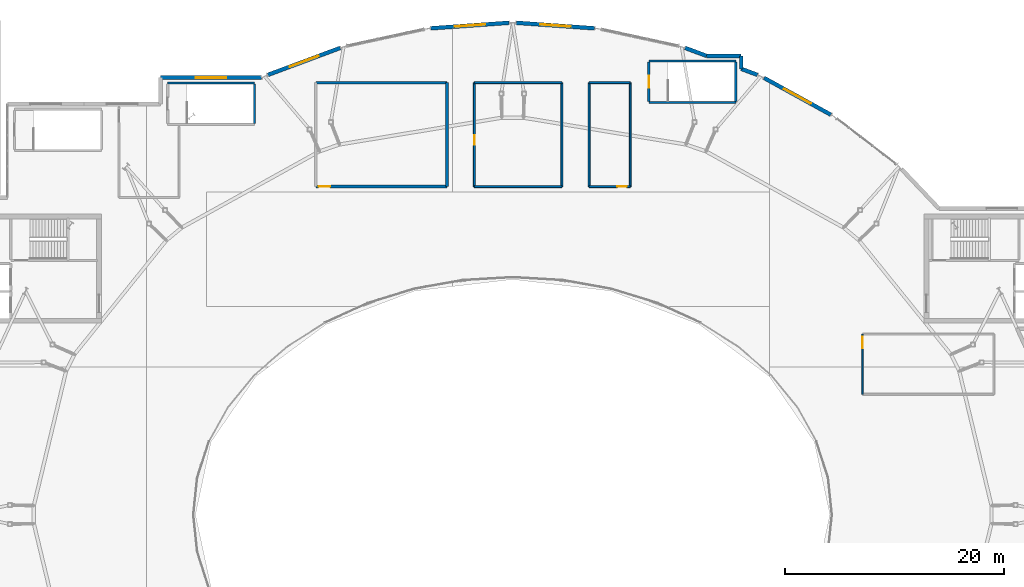
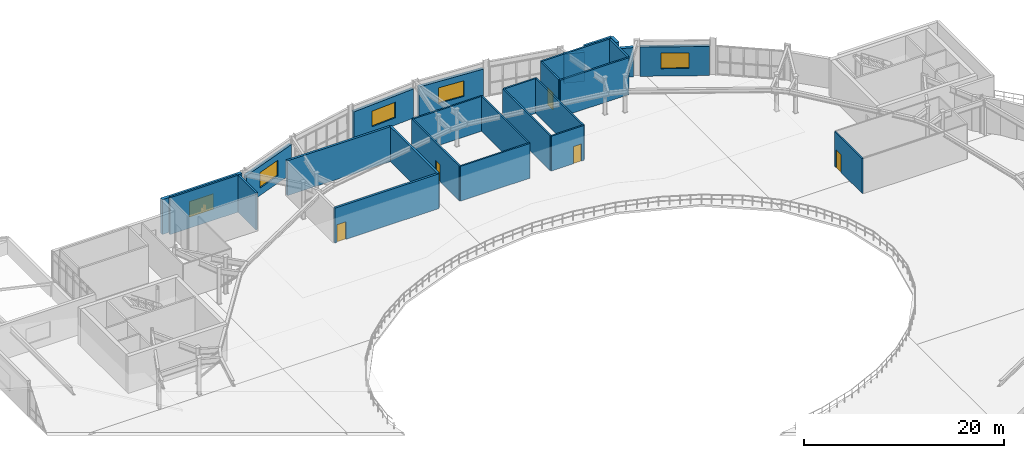
# One storey, part 40 of 48: 27 walls, 5 doors, 5 windows, 10 openings.
"""IFC4 building model written with IfcOpenShell, lengths in metres."""

from ifc_helpers import new_model, si_unit, direction, frame, frame_2d, origin, place, context, subcontext, project, spatial, rectangle, extrude, material, layer, layer_set, type_object, element, fill, save


model = new_model("IFC4")

# Units and contexts
model_context = context("Model", 3, precision=1e-05, world=origin(), true_north=direction((0.0, 1.0)))
body_context = subcontext(model_context, "Body", "Model", "MODEL_VIEW")
ifc_project = project(units=[si_unit("LENGTHUNIT", "METRE"), si_unit("AREAUNIT", "SQUARE_METRE"), si_unit("VOLUMEUNIT", "CUBIC_METRE"), si_unit("PLANEANGLEUNIT", "RADIAN"), si_unit("MASSUNIT", "GRAM", prefix="KILO")], contexts=[model_context])

# Site, building, storey
site_placement = place(None, origin())
site = spatial("IfcSite", under=ifc_project, at=site_placement, CompositionType="ELEMENT")
building_placement = place(site_placement, origin())
building = spatial("IfcBuilding", under=site, at=building_placement, Name="Glasvene Arena", CompositionType="ELEMENT")
storey_placement = place(building_placement, frame((0.0, 0.0, 19.5)))
storey = spatial("IfcBuildingStorey", under=building, at=storey_placement, Name="L04", CompositionType="ELEMENT", Elevation=19.5)

# Wall, opening, window
ifc_material_1 = material(Name="Coursed pale Irish limestone", Category="masonry")
ifc_layer_1 = layer(ifc_material_1, 0.360107421875)
ifc_layer_set_1 = layer_set([ifc_layer_1], Name="Coursed pale Irish limestone")
wall_type_1 = type_object("IfcWallType", Name="WL-EXT-LIM-360", PredefinedType="STANDARD", material=ifc_layer_set_1)
wall_1_placement = place(storey_placement, frame((59.800048828125, 112.949951171875, 0.0), z_axis=(0.0, 0.0, 1.0), x_axis=(1.0, 0.0, 0.0)))
wall_1 = element("IfcWall", 1, at=wall_1_placement, inside=storey, type_object=wall_type_1, Name="External facade wall EW-L04-0251", PredefinedType="STANDARD", context=body_context, shape_type="SweptSolid", body=[
    extrude(rectangle(XDim=9.20703125, YDim=0.360107421875, at=frame_2d((4.603515625, 0.0))), origin(), (0.0, 0.0, 1.0), 4.25),
])
opening_1_placement = place(wall_1_placement, frame((3.2041015625, 0.0, 0.89990234375)))
opening_1 = element("IfcOpeningElement", 2, at=opening_1_placement, cuts=wall_1, Name="Opening W-10", PredefinedType="OPENING", context=body_context, shape_type="SweptSolid", body=[
    extrude(rectangle(XDim=2.800048828125, YDim=1.89990234375, at=frame_2d((1.39990234375, 0.949951171875))), frame((0.0, 0.18994140625, 0.0), z_axis=(0.0, -1.0, 0.0), x_axis=(1.0, 0.0, 0.0)), (0.0, 0.0, 1.0), 0.380126953125),
])
ifc_material_2 = material(Name="Low-emissivity laminated double glazing", Category="glass")
window_type = type_object("IfcWindowType", Name="WN-SKY-280x190", PartitioningType="DOUBLE_PANEL_VERTICAL", PredefinedType="WINDOW", material=ifc_material_2)
window_1_placement = place(opening_1_placement, origin())
window_1 = element("IfcWindow", 3, at=window_1_placement, inside=storey, type_object=window_type, Name="Facade window WN-SKY-280x190 L04-0161", OverallHeight=1.89990234375, OverallWidth=2.800048828125, PartitioningType="SINGLE_PANEL", PredefinedType="WINDOW", context=body_context, shape_type="SweptSolid", body=[
    extrude(rectangle(XDim=2.800048828125, YDim=1.89990234375, at=frame_2d((1.39990234375, 0.949951171875))), frame((0.0, 0.030029296875, 0.0), z_axis=(0.0, -1.0, 0.0), x_axis=(1.0, 0.0, 0.0)), (0.0, 0.0, 1.0), 0.06005859375),
])
fill(opening_1, window_1)

wall_2_placement = place(storey_placement, frame((69.61083984375, 113.2109375, 0.0), z_axis=(0.0, 0.0, 1.0), x_axis=(0.937006422161, 0.349312130949, 0.0)))
wall_2 = element("IfcWall", 4, at=wall_2_placement, inside=storey, type_object=wall_type_1, Name="External facade wall EW-L04-0252", PredefinedType="STANDARD", context=body_context, shape_type="SweptSolid", body=[
    extrude(rectangle(XDim=7.077880859375, YDim=0.360107421875, at=frame_2d((3.5390625, 0.0))), origin(), (0.0, 0.0, 1.0), 3.5615234375),
])
opening_2_placement = place(wall_2_placement, frame((2.138916015625, 0.0, 0.89990234375)))
opening_2 = element("IfcOpeningElement", 5, at=opening_2_placement, cuts=wall_2, Name="Opening W-10", PredefinedType="OPENING", context=body_context, shape_type="SweptSolid", body=[
    extrude(rectangle(XDim=2.800048828125, YDim=1.89990234375, at=frame_2d((1.39990234375, 0.949951171875))), frame((0.0, 0.18994140625, 0.0), z_axis=(0.0, -1.0, 0.0), x_axis=(1.0, 0.0, 0.0)), (0.0, 0.0, 1.0), 0.380126953125),
])
window_2_placement = place(opening_2_placement, origin())
window_2 = element("IfcWindow", 6, at=window_2_placement, inside=storey, type_object=window_type, Name="Facade window WN-SKY-280x190 L04-0162", OverallHeight=1.89990234375, OverallWidth=2.800048828125, PartitioningType="SINGLE_PANEL", PredefinedType="WINDOW", context=body_context, shape_type="SweptSolid", body=[
    extrude(rectangle(XDim=2.800048828125, YDim=1.89990234375, at=frame_2d((1.39990234375, 0.949951171875))), frame((0.0, 0.030029296875, 0.0), z_axis=(0.0, -1.0, 0.0), x_axis=(1.0, 0.0, 0.0)), (0.0, 0.0, 1.0), 0.06005859375),
])
fill(opening_2, window_2)

wall_3_placement = place(storey_placement, frame((84.506103515625, 117.46923828125, 0.0), z_axis=(0.0, 0.0, 1.0), x_axis=(0.99750163831, 0.070643340579, 0.0)))
wall_3 = element("IfcWall", 7, at=wall_3_placement, inside=storey, type_object=wall_type_1, Name="External facade wall EW-L04-0253", PredefinedType="STANDARD", context=body_context, shape_type="SweptSolid", body=[
    extrude(rectangle(XDim=7.18505859375, YDim=0.360107421875, at=frame_2d((3.592529296875, 0.0))), origin(), (0.0, 0.0, 1.0), 3.5615234375),
])
opening_3_placement = place(wall_3_placement, frame((2.19189453125, 0.0, 0.89990234375)))
opening_3 = element("IfcOpeningElement", 8, at=opening_3_placement, cuts=wall_3, Name="Opening W-10", PredefinedType="OPENING", context=body_context, shape_type="SweptSolid", body=[
    extrude(rectangle(XDim=2.800048828125, YDim=1.89990234375, at=frame_2d((1.39990234375, 0.949951171875))), frame((0.0, 0.18994140625, 0.0), z_axis=(0.0, -1.0, 0.0), x_axis=(1.0, 0.0, 0.0)), (0.0, 0.0, 1.0), 0.380126953125),
])
window_3_placement = place(opening_3_placement, origin())
window_3 = element("IfcWindow", 9, at=window_3_placement, inside=storey, type_object=window_type, Name="Facade window WN-SKY-280x190 L04-0163", OverallHeight=1.89990234375, OverallWidth=2.800048828125, PartitioningType="SINGLE_PANEL", PredefinedType="WINDOW", context=body_context, shape_type="SweptSolid", body=[
    extrude(rectangle(XDim=2.800048828125, YDim=1.89990234375, at=frame_2d((1.39990234375, 0.949951171875))), frame((0.0, 0.030029296875, 0.0), z_axis=(0.0, -1.0, 0.0), x_axis=(1.0, 0.0, 0.0)), (0.0, 0.0, 1.0), 0.06005859375),
])
fill(opening_3, window_3)

wall_4_placement = place(storey_placement, frame((92.326904296875, 117.976806640625, 0.0), z_axis=(0.0, 0.0, 1.0), x_axis=(0.99750163831, -0.070643340579, 0.0)))
wall_4 = element("IfcWall", 10, at=wall_4_placement, inside=storey, type_object=wall_type_1, Name="External facade wall EW-L04-0254", PredefinedType="STANDARD", context=body_context, shape_type="SweptSolid", body=[
    extrude(rectangle(XDim=7.18505859375, YDim=0.360107421875, at=frame_2d((3.592529296875, 0.0))), origin(), (0.0, 0.0, 1.0), 3.5615234375),
])
opening_4_placement = place(wall_4_placement, frame((2.19189453125, 0.0, 0.89990234375)))
opening_4 = element("IfcOpeningElement", 11, at=opening_4_placement, cuts=wall_4, Name="Opening W-10", PredefinedType="OPENING", context=body_context, shape_type="SweptSolid", body=[
    extrude(rectangle(XDim=2.800048828125, YDim=1.89990234375, at=frame_2d((1.39990234375, 0.949951171875))), frame((0.0, 0.18994140625, 0.0), z_axis=(0.0, -1.0, 0.0), x_axis=(1.0, 0.0, 0.0)), (0.0, 0.0, 1.0), 0.380126953125),
])
window_4_placement = place(opening_4_placement, origin())
window_4 = element("IfcWindow", 12, at=window_4_placement, inside=storey, type_object=window_type, Name="Facade window WN-SKY-280x190 L04-0164", OverallHeight=1.89990234375, OverallWidth=2.800048828125, PartitioningType="SINGLE_PANEL", PredefinedType="WINDOW", context=body_context, shape_type="SweptSolid", body=[
    extrude(rectangle(XDim=2.800048828125, YDim=1.89990234375, at=frame_2d((1.39990234375, 0.949951171875))), frame((0.0, 0.030029296875, 0.0), z_axis=(0.0, -1.0, 0.0), x_axis=(1.0, 0.0, 0.0)), (0.0, 0.0, 1.0), 0.06005859375),
])
fill(opening_4, window_4)

# Walls
wall_5_placement = place(storey_placement, frame((107.757080078125, 115.683349609375, 0.0), z_axis=(0.0, 0.0, 1.0), x_axis=(0.936991819141, -0.349351300074, 0.0)))
element("IfcWall", 13, at=wall_5_placement, inside=storey, type_object=wall_type_1, Name="External facade wall EW-L04-0255", PredefinedType="STANDARD", context=body_context, shape_type="SweptSolid", body=[
    extrude(rectangle(XDim=2.099365234375, YDim=0.360107421875, at=frame_2d((1.0498046875, 0.0))), origin(), (0.0, 0.0, 1.0), 3.5615234375),
])
wall_6_placement = place(storey_placement, frame((109.72412109375, 114.949951171875, 0.0), z_axis=(0.0, 0.0, 1.0), x_axis=(1.0, 0.0, 0.0)))
element("IfcWall", 14, at=wall_6_placement, inside=storey, type_object=wall_type_1, Name="External facade wall EW-L04-0256", PredefinedType="STANDARD", context=body_context, shape_type="SweptSolid", body=[
    extrude(rectangle(XDim=3.17578125, YDim=0.360107421875, at=frame_2d((1.587890625, 0.0))), origin(), (0.0, 0.0, 1.0), 4.25),
])
wall_7_placement = place(storey_placement, frame((112.89990234375, 114.949951171875, 0.0), z_axis=(0.0, 0.0, 1.0), x_axis=(0.0, -1.0, 0.0)))
element("IfcWall", 15, at=wall_7_placement, inside=storey, type_object=wall_type_1, Name="External facade wall EW-L04-0257", PredefinedType="STANDARD", context=body_context, shape_type="SweptSolid", body=[
    extrude(rectangle(XDim=1.183837890625, YDim=0.360107421875, at=frame_2d((0.591796875, 0.0))), origin(), (0.0, 0.0, 1.0), 4.25),
])
wall_8_placement = place(storey_placement, frame((112.89990234375, 113.76611328125, 0.0), z_axis=(0.0, 0.0, 1.0), x_axis=(0.937009179831, -0.349304733596, 0.0)))
element("IfcWall", 16, at=wall_8_placement, inside=storey, type_object=wall_type_1, Name="External facade wall EW-L04-0258", PredefinedType="STANDARD", context=body_context, shape_type="SweptSolid", body=[
    extrude(rectangle(XDim=1.58935546875, YDim=0.360107421875, at=frame_2d((0.794677734375, 0.0))), origin(), (0.0, 0.0, 1.0), 3.5615234375),
])

# Wall, opening, window
wall_9_placement = place(storey_placement, frame((114.98583984375, 112.9375, 0.0), z_axis=(0.0, 0.0, 1.0), x_axis=(0.875644499298, -0.482956220426, 0.0)))
wall_9 = element("IfcWall", 17, at=wall_9_placement, inside=storey, type_object=wall_type_1, Name="External facade wall EW-L04-0259", PredefinedType="STANDARD", context=body_context, shape_type="SweptSolid", body=[
    extrude(rectangle(XDim=6.980712890625, YDim=0.360107421875, at=frame_2d((3.490234375, 0.0))), origin(), (0.0, 0.0, 1.0), 3.5615234375),
])
opening_5_placement = place(wall_9_placement, frame((2.090087890625, 0.0, 0.89990234375)))
opening_5 = element("IfcOpeningElement", 18, at=opening_5_placement, cuts=wall_9, Name="Opening W-10", PredefinedType="OPENING", context=body_context, shape_type="SweptSolid", body=[
    extrude(rectangle(XDim=2.800048828125, YDim=1.89990234375, at=frame_2d((1.39990234375, 0.949951171875))), frame((0.0, 0.18994140625, 0.0), z_axis=(0.0, -1.0, 0.0), x_axis=(1.0, 0.0, 0.0)), (0.0, 0.0, 1.0), 0.380126953125),
])
window_5_placement = place(opening_5_placement, origin())
window_5 = element("IfcWindow", 19, at=window_5_placement, inside=storey, type_object=window_type, Name="Facade window WN-SKY-280x190 L04-0165", OverallHeight=1.89990234375, OverallWidth=2.800048828125, PartitioningType="SINGLE_PANEL", PredefinedType="WINDOW", context=body_context, shape_type="SweptSolid", body=[
    extrude(rectangle(XDim=2.800048828125, YDim=1.89990234375, at=frame_2d((1.39990234375, 0.949951171875))), frame((0.0, 0.030029296875, 0.0), z_axis=(0.0, -1.0, 0.0), x_axis=(1.0, 0.0, 0.0)), (0.0, 0.0, 1.0), 0.06005859375),
])
fill(opening_5, window_5)

# Walls
ifc_material_3 = material(Name="Concrete C40/50", Category="concrete")
ifc_layer_2 = layer(ifc_material_3, 0.25)
ifc_layer_set_2 = layer_set([ifc_layer_2], Name="Concrete C40/50")
wall_type_2 = type_object("IfcWallType", Name="WL-FIRE-250", PredefinedType="STANDARD", material=ifc_layer_set_2)
wall_10_placement = place(storey_placement, frame((74.0, 112.5, 0.0), z_axis=(0.0, 0.0, 1.0), x_axis=(1.0, 0.0, 0.0)))
element("IfcWall", 20, at=wall_10_placement, inside=storey, type_object=wall_type_2, Name="Interior partition wall IW-L04-0315 (Venue Acoustic Control Room)", PredefinedType="STANDARD", context=body_context, shape_type="SweptSolid", body=[
    extrude(rectangle(XDim=12.0, YDim=0.25, at=frame_2d((6.0, 0.0))), origin(), (0.0, 0.0, 1.0), 4.25),
])
wall_11_placement = place(storey_placement, frame((86.0, 112.5, 0.0), z_axis=(0.0, 0.0, 1.0), x_axis=(0.0, -1.0, 0.0)))
element("IfcWall", 21, at=wall_11_placement, inside=storey, type_object=wall_type_2, Name="Interior partition wall IW-L04-0316 (Venue Acoustic Control Room)", PredefinedType="STANDARD", context=body_context, shape_type="SweptSolid", body=[
    extrude(rectangle(XDim=9.5, YDim=0.25, at=frame_2d((4.75, 0.0))), origin(), (0.0, 0.0, 1.0), 4.25),
])

# Wall, opening, door
wall_12_placement = place(storey_placement, frame((86.0, 103.0, 0.0), z_axis=(0.0, 0.0, 1.0), x_axis=(-1.0, 0.0, 0.0)))
wall_12 = element("IfcWall", 22, at=wall_12_placement, inside=storey, type_object=wall_type_2, Name="Interior partition wall IW-L04-0317 (Venue Acoustic Control Room)", PredefinedType="STANDARD", context=body_context, shape_type="SweptSolid", body=[
    extrude(rectangle(XDim=12.0, YDim=0.25, at=frame_2d((6.0, 0.0))), origin(), (0.0, 0.0, 1.0), 4.25),
])
opening_6_placement = place(wall_12_placement, frame((10.699951171875, 0.0, 0.0)))
opening_6 = element("IfcOpeningElement", 23, at=opening_6_placement, cuts=wall_12, Name="Opening D-05", PredefinedType="OPENING", context=body_context, shape_type="SweptSolid", body=[
    extrude(rectangle(XDim=1.050048828125, YDim=2.14990234375, at=frame_2d((0.52490234375, 1.074951171875))), frame((0.0, 0.135009765625, 0.0), z_axis=(0.0, -1.0, 0.0), x_axis=(1.0, 0.0, 0.0)), (0.0, 0.0, 1.0), 0.27001953125),
])
ifc_material_4 = material(Name="Painted fire-resisting steel", Category="steel")
door_type_1 = type_object("IfcDoorType", Name="DR-FD60-1050", OperationType="NOTDEFINED", PredefinedType="DOOR", material=ifc_material_4)
door_1_placement = place(opening_6_placement, origin())
door_1 = element("IfcDoor", 24, at=door_1_placement, inside=storey, type_object=door_type_1, Name="Interior door DR-FD60-1050 (Venue Acoustic Control Room)", OperationType="SINGLE_SWING_LEFT", OverallHeight=2.14990234375, OverallWidth=1.050048828125, PredefinedType="DOOR", context=body_context, shape_type="SweptSolid", body=[
    extrude(rectangle(XDim=1.050048828125, YDim=2.14990234375, at=frame_2d((0.52490234375, 1.074951171875))), frame((0.0, 0.02490234375, 0.0), z_axis=(0.0, -1.0, 0.0), x_axis=(1.0, 0.0, 0.0)), (0.0, 0.0, 1.0), 0.050048828125),
])
fill(opening_6, door_1)

ifc_material_5 = material(Name="Insulated acoustic metal-stud partition")
ifc_layer_3 = layer(ifc_material_5, 0.14990234375)
ifc_layer_set_3 = layer_set([ifc_layer_3], Name="Insulated acoustic metal-stud partition")
wall_type_3 = type_object("IfcWallType", Name="WL-PART-150", PredefinedType="PARTITIONING", material=ifc_layer_set_3)
wall_13_placement = place(storey_placement, frame((124.0, 84.0, 0.0), z_axis=(0.0, 0.0, 1.0), x_axis=(0.0, 1.0, 0.0)))
wall_13 = element("IfcWall", 25, at=wall_13_placement, inside=storey, type_object=wall_type_3, Name="Interior partition wall IW-L04-0325 (Audio Dimmer and Amplifier Store)", PredefinedType="PARTITIONING", context=body_context, shape_type="SweptSolid", body=[
    extrude(rectangle(XDim=5.5, YDim=0.14990234375, at=frame_2d((2.75, 0.0))), origin(), (0.0, 0.0, 1.0), 4.25),
])
opening_7_placement = place(wall_13_placement, frame((4.199951171875, 0.0, 0.0)))
opening_7 = element("IfcOpeningElement", 26, at=opening_7_placement, cuts=wall_13, Name="Opening D-05", PredefinedType="OPENING", context=body_context, shape_type="SweptSolid", body=[
    extrude(rectangle(XDim=1.050048828125, YDim=2.14990234375, at=frame_2d((0.52490234375, 1.074951171875))), frame((0.0, 0.0849609375, 0.0), z_axis=(0.0, -1.0, 0.0), x_axis=(1.0, 0.0, 0.0)), (0.0, 0.0, 1.0), 0.169921875),
])
door_2_placement = place(opening_7_placement, origin())
door_2 = element("IfcDoor", 27, at=door_2_placement, inside=storey, type_object=door_type_1, Name="Interior door DR-FD60-1050 (Audio Dimmer and Amplifier Store)", OperationType="SINGLE_SWING_LEFT", OverallHeight=2.14990234375, OverallWidth=1.050048828125, PredefinedType="DOOR", context=body_context, shape_type="SweptSolid", body=[
    extrude(rectangle(XDim=1.050048828125, YDim=2.14990234375, at=frame_2d((0.52490234375, 1.074951171875))), frame((0.0, 0.02490234375, 0.0), z_axis=(0.0, -1.0, 0.0), x_axis=(1.0, 0.0, 0.0)), (0.0, 0.0, 1.0), 0.050048828125),
])
fill(opening_7, door_2)

# Walls
ifc_layer_4 = layer(ifc_material_3, 0.199951171875)
ifc_layer_set_4 = layer_set([ifc_layer_4], Name="Concrete C40/50")
wall_type_4 = type_object("IfcWallType", Name="WL-SHAFT-200", PredefinedType="SHEAR", material=ifc_layer_set_4)
wall_14_placement = place(storey_placement, frame((68.39990234375, 108.781982421875, 0.0), z_axis=(0.0, 0.0, 1.0), x_axis=(0.0, 1.0, 0.0)))
element("IfcWall", 28, at=wall_14_placement, inside=storey, type_object=wall_type_4, Name="Escape stair shaft wall ST-10 L04 E", PredefinedType="SHEAR", context=body_context, shape_type="SweptSolid", body=[
    extrude(rectangle(XDim=3.5859375, YDim=0.199951171875, at=frame_2d((1.79296875, 0.0))), origin(), (0.0, 0.0, 1.0), 4.5),
])
for number, where, z_axis, x_axis, name in (
    (29, (60.449951171875, 112.469970703125, 0.0), (0.0, 0.0, 1.0), (1.0, 0.0, 0.0), "Escape stair shaft wall ST-10 L04 N"),
    (30, (104.449951171875, 110.679931640625, 0.0), (0.0, 0.0, 1.0), (1.0, 0.0, 0.0), "Escape stair shaft wall ST-11 L04 S"),
):
    element("IfcWall", number, at=place(storey_placement, frame(where, z_axis=z_axis, x_axis=x_axis)), inside=storey, type_object=wall_type_4, Name=name, PredefinedType="SHEAR", context=body_context, shape_type="SweptSolid", body=[
        extrude(rectangle(XDim=7.949951171875, YDim=0.199951171875, at=frame_2d((3.97509765625, 0.0))), origin(), (0.0, 0.0, 1.0), 4.5),
    ])

# Wall, opening, door
wall_15_placement = place(storey_placement, frame((104.449951171875, 110.781982421875, 0.0), z_axis=(0.0, 0.0, 1.0), x_axis=(0.0, 1.0, 0.0)))
wall_15 = element("IfcWall", 31, at=wall_15_placement, inside=storey, type_object=wall_type_4, Name="Escape stair shaft wall ST-11 L04 W", PredefinedType="SHEAR", context=body_context, shape_type="SweptSolid", body=[
    extrude(rectangle(XDim=3.5859375, YDim=0.199951171875, at=frame_2d((1.79296875, 0.0))), origin(), (0.0, 0.0, 1.0), 4.5),
])
opening_8_placement = place(wall_15_placement, frame((1.242919921875, 0.0, 0.0)))
opening_8 = element("IfcOpeningElement", 32, at=opening_8_placement, cuts=wall_15, Name="Opening D-04", PredefinedType="OPENING", context=body_context, shape_type="SweptSolid", body=[
    extrude(rectangle(XDim=1.10009765625, YDim=2.14990234375, at=frame_2d((0.550048828125, 1.074951171875))), frame((0.0, 0.10986328125, 0.0), z_axis=(0.0, -1.0, 0.0), x_axis=(1.0, 0.0, 0.0)), (0.0, 0.0, 1.0), 0.219970703125),
])
door_type_2 = type_object("IfcDoorType", Name="DR-FD60-1100", OperationType="NOTDEFINED", PredefinedType="DOOR", material=ifc_material_4)
door_3_placement = place(opening_8_placement, frame((1.10009765625, 0.0, 0.0), z_axis=(0.0, 0.0, 1.0), x_axis=(-1.0, 0.0, 0.0)))
door_3 = element("IfcDoor", 33, at=door_3_placement, inside=storey, type_object=door_type_2, Name="Protected escape stair door ST-11 L04", OperationType="SINGLE_SWING_LEFT", OverallHeight=2.14990234375, OverallWidth=1.10009765625, PredefinedType="DOOR", context=body_context, shape_type="SweptSolid", body=[
    extrude(rectangle(XDim=1.10009765625, YDim=2.14990234375, at=frame_2d((0.550048828125, 1.074951171875))), frame((0.0, 0.02490234375, 0.0), z_axis=(0.0, -1.0, 0.0), x_axis=(1.0, 0.0, 0.0)), (0.0, 0.0, 1.0), 0.050048828125),
])
fill(opening_8, door_3)

# Walls
wall_16_placement = place(storey_placement, frame((112.39990234375, 110.781982421875, 0.0), z_axis=(0.0, 0.0, 1.0), x_axis=(0.0, 1.0, 0.0)))
element("IfcWall", 34, at=wall_16_placement, inside=storey, type_object=wall_type_4, Name="Escape stair shaft wall ST-11 L04 E", PredefinedType="SHEAR", context=body_context, shape_type="SweptSolid", body=[
    extrude(rectangle(XDim=3.5859375, YDim=0.199951171875, at=frame_2d((1.79296875, 0.0))), origin(), (0.0, 0.0, 1.0), 4.5),
])
wall_17_placement = place(storey_placement, frame((104.449951171875, 114.469970703125, 0.0), z_axis=(0.0, 0.0, 1.0), x_axis=(1.0, 0.0, 0.0)))
element("IfcWall", 35, at=wall_17_placement, inside=storey, type_object=wall_type_4, Name="Escape stair shaft wall ST-11 L04 N", PredefinedType="SHEAR", context=body_context, shape_type="SweptSolid", body=[
    extrude(rectangle(XDim=7.949951171875, YDim=0.199951171875, at=frame_2d((3.97509765625, 0.0))), origin(), (0.0, 0.0, 1.0), 4.5),
])
ifc_material_6 = material(Name="Moisture-resistant masonry blockwork", Category="masonry")
ifc_layer_5 = layer(ifc_material_6, 0.179931640625)
ifc_layer_set_5 = layer_set([ifc_layer_5], Name="Moisture-resistant masonry blockwork")
wall_type_5 = type_object("IfcWallType", Name="WL-WET-180", PredefinedType="PARTITIONING", material=ifc_layer_set_5)
wall_18_placement = place(storey_placement, frame((88.5, 112.5, 0.0), z_axis=(0.0, 0.0, 1.0), x_axis=(1.0, 0.0, 0.0)))
element("IfcWall", 36, at=wall_18_placement, inside=storey, type_object=wall_type_5, Name="Interior partition wall IW-L04-0326 (L04 Public Male WC)", PredefinedType="PARTITIONING", context=body_context, shape_type="SweptSolid", body=[
    extrude(rectangle(XDim=8.0, YDim=0.179931640625, at=frame_2d((4.0, 0.0))), origin(), (0.0, 0.0, 1.0), 4.25),
])
wall_19_placement = place(storey_placement, frame((96.5, 112.5, 0.0), z_axis=(0.0, 0.0, 1.0), x_axis=(0.0, -1.0, 0.0)))
element("IfcWall", 37, at=wall_19_placement, inside=storey, type_object=wall_type_5, Name="Interior partition wall IW-L04-0327 (L04 Public Male WC)", PredefinedType="PARTITIONING", context=body_context, shape_type="SweptSolid", body=[
    extrude(rectangle(XDim=9.5, YDim=0.179931640625, at=frame_2d((4.75, 0.0))), origin(), (0.0, 0.0, 1.0), 4.25),
])
wall_20_placement = place(storey_placement, frame((96.5, 103.0, 0.0), z_axis=(0.0, 0.0, 1.0), x_axis=(-1.0, 0.0, 0.0)))
element("IfcWall", 38, at=wall_20_placement, inside=storey, type_object=wall_type_5, Name="Interior partition wall IW-L04-0328 (L04 Public Male WC)", PredefinedType="PARTITIONING", context=body_context, shape_type="SweptSolid", body=[
    extrude(rectangle(XDim=8.0, YDim=0.179931640625, at=frame_2d((4.0, 0.0))), origin(), (0.0, 0.0, 1.0), 4.25),
])

# Wall, opening, door
wall_21_placement = place(storey_placement, frame((88.5, 103.0, 0.0), z_axis=(0.0, 0.0, 1.0), x_axis=(0.0, 1.0, 0.0)))
wall_21 = element("IfcWall", 39, at=wall_21_placement, inside=storey, type_object=wall_type_5, Name="Interior partition wall IW-L04-0329 (L04 Public Male WC)", PredefinedType="PARTITIONING", context=body_context, shape_type="SweptSolid", body=[
    extrude(rectangle(XDim=9.5, YDim=0.179931640625, at=frame_2d((4.75, 0.0))), origin(), (0.0, 0.0, 1.0), 4.25),
])
opening_9_placement = place(wall_21_placement, frame((3.800048828125, 0.0, 0.0)))
opening_9 = element("IfcOpeningElement", 40, at=opening_9_placement, cuts=wall_21, Name="Opening D-13", PredefinedType="OPENING", context=body_context, shape_type="SweptSolid", body=[
    extrude(rectangle(XDim=0.89990234375, YDim=2.10009765625, at=frame_2d((0.449951171875, 1.050048828125))), frame((0.0, 0.10009765625, 0.0), z_axis=(0.0, -1.0, 0.0), x_axis=(1.0, 0.0, 0.0)), (0.0, 0.0, 1.0), 0.199951171875),
])
ifc_material_7 = material(Name="Moisture-resistant laminate timber", Category="wood")
door_type_3 = type_object("IfcDoorType", Name="DR-WC-900", OperationType="NOTDEFINED", PredefinedType="DOOR", material=ifc_material_7)
door_4_placement = place(opening_9_placement, origin())
door_4 = element("IfcDoor", 41, at=door_4_placement, inside=storey, type_object=door_type_3, Name="Interior door DR-WC-900 (L04 Public Male WC)", OperationType="SINGLE_SWING_RIGHT", OverallHeight=2.10009765625, OverallWidth=0.89990234375, PredefinedType="DOOR", context=body_context, shape_type="SweptSolid", body=[
    extrude(rectangle(XDim=0.89990234375, YDim=2.10009765625, at=frame_2d((0.449951171875, 1.050048828125))), frame((0.0, 0.02490234375, 0.0), z_axis=(0.0, -1.0, 0.0), x_axis=(1.0, 0.0, 0.0)), (0.0, 0.0, 1.0), 0.050048828125),
])
fill(opening_9, door_4)

# Walls
wall_22_placement = place(storey_placement, frame((102.75, 103.0, 0.0), z_axis=(0.0, 0.0, 1.0), x_axis=(0.0, 1.0, 0.0)))
element("IfcWall", 42, at=wall_22_placement, inside=storey, type_object=wall_type_5, Name="Interior partition wall IW-L04-0330 (L04 Public Female WC)", PredefinedType="PARTITIONING", context=body_context, shape_type="SweptSolid", body=[
    extrude(rectangle(XDim=9.5, YDim=0.179931640625, at=frame_2d((4.75, 0.0))), origin(), (0.0, 0.0, 1.0), 4.25),
])
wall_23_placement = place(storey_placement, frame((102.75, 112.5, 0.0), z_axis=(0.0, 0.0, 1.0), x_axis=(-1.0, 0.0, 0.0)))
element("IfcWall", 43, at=wall_23_placement, inside=storey, type_object=wall_type_5, Name="Interior partition wall IW-L04-0331 (L04 Public Female WC)", PredefinedType="PARTITIONING", context=body_context, shape_type="SweptSolid", body=[
    extrude(rectangle(XDim=3.75, YDim=0.179931640625, at=frame_2d((1.875, 0.0))), origin(), (0.0, 0.0, 1.0), 4.25),
])
wall_24_placement = place(storey_placement, frame((99.0, 112.5, 0.0), z_axis=(0.0, 0.0, 1.0), x_axis=(0.0, -1.0, 0.0)))
element("IfcWall", 44, at=wall_24_placement, inside=storey, type_object=wall_type_5, Name="Interior partition wall IW-L04-0332 (L04 Public Female WC)", PredefinedType="PARTITIONING", context=body_context, shape_type="SweptSolid", body=[
    extrude(rectangle(XDim=9.5, YDim=0.179931640625, at=frame_2d((4.75, 0.0))), origin(), (0.0, 0.0, 1.0), 4.25),
])

# Wall, opening, door
wall_25_placement = place(storey_placement, frame((99.0, 103.0, 0.0), z_axis=(0.0, 0.0, 1.0), x_axis=(1.0, 0.0, 0.0)))
wall_25 = element("IfcWall", 45, at=wall_25_placement, inside=storey, type_object=wall_type_5, Name="Interior partition wall IW-L04-0333 (L04 Public Female WC)", PredefinedType="PARTITIONING", context=body_context, shape_type="SweptSolid", body=[
    extrude(rectangle(XDim=3.75, YDim=0.179931640625, at=frame_2d((1.875, 0.0))), origin(), (0.0, 0.0, 1.0), 4.25),
])
opening_10_placement = place(wall_25_placement, frame((2.550048828125, 0.0, 0.0)))
opening_10 = element("IfcOpeningElement", 46, at=opening_10_placement, cuts=wall_25, Name="Opening D-13", PredefinedType="OPENING", context=body_context, shape_type="SweptSolid", body=[
    extrude(rectangle(XDim=0.89990234375, YDim=2.10009765625, at=frame_2d((0.449951171875, 1.050048828125))), frame((0.0, 0.10009765625, 0.0), z_axis=(0.0, -1.0, 0.0), x_axis=(1.0, 0.0, 0.0)), (0.0, 0.0, 1.0), 0.199951171875),
])
door_5_placement = place(opening_10_placement, origin())
door_5 = element("IfcDoor", 47, at=door_5_placement, inside=storey, type_object=door_type_3, Name="Interior door DR-WC-900 (L04 Public Female WC)", OperationType="SINGLE_SWING_LEFT", OverallHeight=2.10009765625, OverallWidth=0.89990234375, PredefinedType="DOOR", context=body_context, shape_type="SweptSolid", body=[
    extrude(rectangle(XDim=0.89990234375, YDim=2.10009765625, at=frame_2d((0.449951171875, 1.050048828125))), frame((0.0, 0.02490234375, 0.0), z_axis=(0.0, -1.0, 0.0), x_axis=(1.0, 0.0, 0.0)), (0.0, 0.0, 1.0), 0.050048828125),
])
fill(opening_10, door_5)

save(model, "model.ifc")
